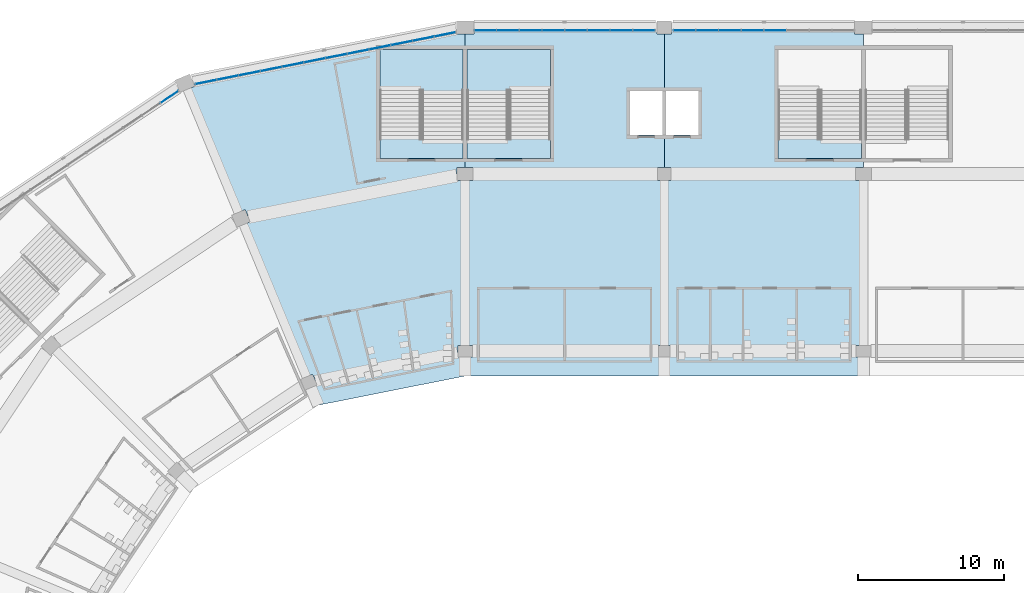
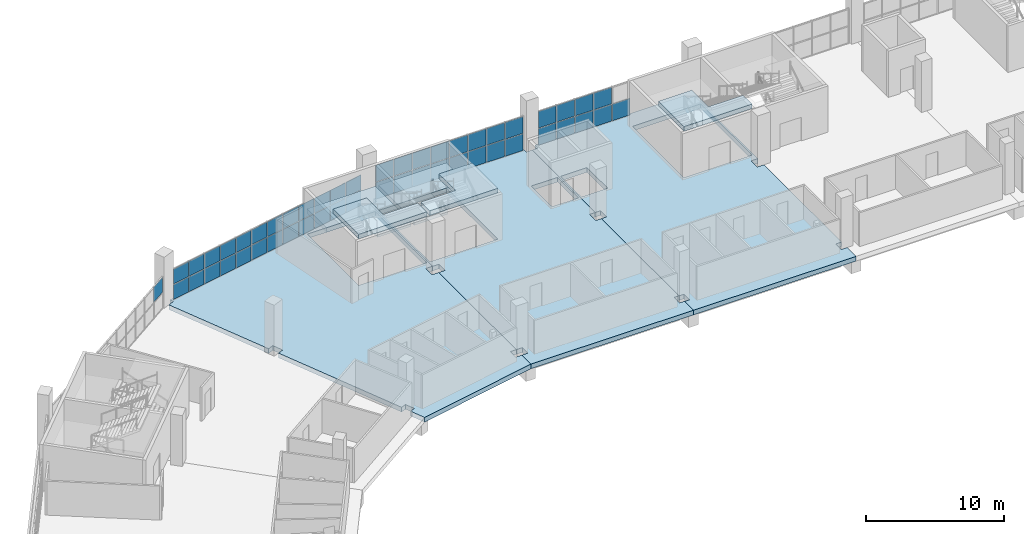
# One storey, part 69 of 199: 50 plates, 8 slabs, 7 elements without a shape of their own.
"""IFC4 building model written with IfcOpenShell, lengths in metres."""

from ifc_helpers import new_model, si_unit, direction, frame, origin, origin_2d, place, context, subcontext, project, spatial, polyline, rectangle, outline, extrude, material, layer, layer_set, type_object, element, aggregate, save


model = new_model("IFC4")

# Units and contexts
model_context = context("Model", 3, precision=1e-05, world=origin(), true_north=direction((0.0, 1.0)))
body_context = subcontext(model_context, "Body", "Model", "MODEL_VIEW")
ifc_project = project(units=[si_unit("LENGTHUNIT", "METRE"), si_unit("AREAUNIT", "SQUARE_METRE"), si_unit("VOLUMEUNIT", "CUBIC_METRE"), si_unit("PLANEANGLEUNIT", "RADIAN"), si_unit("MASSUNIT", "GRAM", prefix="KILO")], contexts=[model_context])

# Site, building, storey
site_placement = place(None, origin())
site = spatial("IfcSite", under=ifc_project, at=site_placement, CompositionType="ELEMENT")
building_placement = place(site_placement, origin())
building = spatial("IfcBuilding", under=site, at=building_placement, Name="Ogive Plaza Stadium", CompositionType="ELEMENT")
storey_placement = place(building_placement, frame((0.0, 0.0, 4.5)))
storey = spatial("IfcBuildingStorey", under=building, at=storey_placement, Name="L01", CompositionType="ELEMENT", Elevation=4.5)

# Curtain wall, plate
ifc_material_1 = material(Name="Bronze-anodised aluminium with laminated glass", Category="aluminium")
curtain_wall_type = type_object("IfcCurtainWallType", Name="Lancet curtain wall", PredefinedType="NOTDEFINED", material=ifc_material_1)
curtain_wall_1_placement = place(storey_placement, origin())
curtain_wall_1 = element("IfcCurtainWall", 1, at=curtain_wall_1_placement, inside=storey, type_object=curtain_wall_type, Name="CURTAIN WALL B30 L01", PredefinedType="NOTDEFINED")
ifc_material_2 = material(Name="Laminated glass", Category="glass")
ifc_layer_1 = layer(ifc_material_2, 0.028076171875)
ifc_layer_set_1 = layer_set([ifc_layer_1], Name="Laminated glass panel 28")
plate_type = type_object("IfcPlateType", Name="Laminated glass panel 28", PredefinedType="CURTAIN_PANEL", material=ifc_layer_set_1)
plate_1_placement = place(storey_placement, frame((-54.18212890625, 97.753173828125, 1.419921875), z_axis=(0.0, 0.0, 1.0), x_axis=(0.831469612303, 0.55557023302, 0.0)))
plate_1 = element("IfcPlate", 2, at=plate_1_placement, type_object=plate_type, Name="CW-B30-L01 panel 12.2", PredefinedType="CURTAIN_PANEL", context=body_context, shape_type="SweptSolid", body=[
    extrude(rectangle(XDim=1.447265625, YDim=0.028076171875, at=origin_2d()), origin(), (0.0, 0.0, 1.0), 1.320068359375),
])
aggregate(curtain_wall_1, [plate_1])

# Curtain wall, plates
curtain_wall_2_placement = place(storey_placement, origin())
curtain_wall_2 = element("IfcCurtainWall", 3, at=curtain_wall_2_placement, inside=storey, type_object=curtain_wall_type, Name="CURTAIN WALL B31 L01", PredefinedType="NOTDEFINED")
plate_2_placement = place(storey_placement, frame((-51.681884765625, 98.77880859375, 0.0498046875), z_axis=(0.0, 0.0, 1.0), x_axis=(0.980785280403, 0.195090322016, 0.0)))
plate_2 = element("IfcPlate", 4, at=plate_2_placement, type_object=plate_type, Name="CW-B31-L01 panel 1.1", PredefinedType="CURTAIN_PANEL", context=body_context, shape_type="SweptSolid", body=[
    extrude(rectangle(XDim=1.43896484375, YDim=0.028076171875, at=origin_2d()), origin(), (0.0, 0.0, 1.0), 1.320068359375),
])
plate_3_placement = place(storey_placement, frame((-51.681884765625, 98.77880859375, 1.419921875), z_axis=(0.0, 0.0, 1.0), x_axis=(0.980785280403, 0.195090322016, 0.0)))
plate_3 = element("IfcPlate", 5, at=plate_3_placement, type_object=plate_type, Name="CW-B31-L01 panel 1.2", PredefinedType="CURTAIN_PANEL", context=body_context, shape_type="SweptSolid", body=[
    extrude(rectangle(XDim=1.43896484375, YDim=0.028076171875, at=origin_2d()), origin(), (0.0, 0.0, 1.0), 1.320068359375),
])
plate_4_placement = place(storey_placement, frame((-50.20947265625, 99.07177734375, 0.0498046875), z_axis=(0.0, 0.0, 1.0), x_axis=(0.980785280403, 0.195090322016, 0.0)))
plate_4 = element("IfcPlate", 6, at=plate_4_placement, type_object=plate_type, Name="CW-B31-L01 panel 2.1", PredefinedType="CURTAIN_PANEL", context=body_context, shape_type="SweptSolid", body=[
    extrude(rectangle(XDim=1.4638671875, YDim=0.028076171875, at=origin_2d()), origin(), (0.0, 0.0, 1.0), 1.320068359375),
])
plate_5_placement = place(storey_placement, frame((-50.20947265625, 99.07177734375, 1.419921875), z_axis=(0.0, 0.0, 1.0), x_axis=(0.980785280403, 0.195090322016, 0.0)))
plate_5 = element("IfcPlate", 7, at=plate_5_placement, type_object=plate_type, Name="CW-B31-L01 panel 2.2", PredefinedType="CURTAIN_PANEL", context=body_context, shape_type="SweptSolid", body=[
    extrude(rectangle(XDim=1.4638671875, YDim=0.028076171875, at=origin_2d()), origin(), (0.0, 0.0, 1.0), 1.320068359375),
])
plate_6_placement = place(storey_placement, frame((-48.724609375, 99.3671875, 0.0498046875), z_axis=(0.0, 0.0, 1.0), x_axis=(0.980785280403, 0.195090322016, 0.0)))
plate_6 = element("IfcPlate", 8, at=plate_6_placement, type_object=plate_type, Name="CW-B31-L01 panel 3.1", PredefinedType="CURTAIN_PANEL", context=body_context, shape_type="SweptSolid", body=[
    extrude(rectangle(XDim=1.4638671875, YDim=0.028076171875, at=origin_2d()), origin(), (0.0, 0.0, 1.0), 1.320068359375),
])
plate_7_placement = place(storey_placement, frame((-48.724609375, 99.3671875, 1.419921875), z_axis=(0.0, 0.0, 1.0), x_axis=(0.980785280403, 0.195090322016, 0.0)))
plate_7 = element("IfcPlate", 9, at=plate_7_placement, type_object=plate_type, Name="CW-B31-L01 panel 3.2", PredefinedType="CURTAIN_PANEL", context=body_context, shape_type="SweptSolid", body=[
    extrude(rectangle(XDim=1.4638671875, YDim=0.028076171875, at=origin_2d()), origin(), (0.0, 0.0, 1.0), 1.320068359375),
])
plate_8_placement = place(storey_placement, frame((-47.239990234375, 99.66259765625, 0.0498046875), z_axis=(0.0, 0.0, 1.0), x_axis=(0.980785280403, 0.195090322016, 0.0)))
plate_8 = element("IfcPlate", 10, at=plate_8_placement, type_object=plate_type, Name="CW-B31-L01 panel 4.1", PredefinedType="CURTAIN_PANEL", context=body_context, shape_type="SweptSolid", body=[
    extrude(rectangle(XDim=1.4638671875, YDim=0.028076171875, at=origin_2d()), origin(), (0.0, 0.0, 1.0), 1.320068359375),
])
plate_9_placement = place(storey_placement, frame((-47.239990234375, 99.66259765625, 1.419921875), z_axis=(0.0, 0.0, 1.0), x_axis=(0.980785280403, 0.195090322016, 0.0)))
plate_9 = element("IfcPlate", 11, at=plate_9_placement, type_object=plate_type, Name="CW-B31-L01 panel 4.2", PredefinedType="CURTAIN_PANEL", context=body_context, shape_type="SweptSolid", body=[
    extrude(rectangle(XDim=1.4638671875, YDim=0.028076171875, at=origin_2d()), origin(), (0.0, 0.0, 1.0), 1.320068359375),
])
plate_10_placement = place(storey_placement, frame((-45.755126953125, 99.957763671875, 0.0498046875), z_axis=(0.0, 0.0, 1.0), x_axis=(0.980785280403, 0.195090322016, 0.0)))
plate_10 = element("IfcPlate", 12, at=plate_10_placement, type_object=plate_type, Name="CW-B31-L01 panel 5.1", PredefinedType="CURTAIN_PANEL", context=body_context, shape_type="SweptSolid", body=[
    extrude(rectangle(XDim=1.4638671875, YDim=0.028076171875, at=origin_2d()), origin(), (0.0, 0.0, 1.0), 1.320068359375),
])
plate_11_placement = place(storey_placement, frame((-45.755126953125, 99.957763671875, 1.419921875), z_axis=(0.0, 0.0, 1.0), x_axis=(0.980785280403, 0.195090322016, 0.0)))
plate_11 = element("IfcPlate", 13, at=plate_11_placement, type_object=plate_type, Name="CW-B31-L01 panel 5.2", PredefinedType="CURTAIN_PANEL", context=body_context, shape_type="SweptSolid", body=[
    extrude(rectangle(XDim=1.4638671875, YDim=0.028076171875, at=origin_2d()), origin(), (0.0, 0.0, 1.0), 1.320068359375),
])
plate_12_placement = place(storey_placement, frame((-44.2705078125, 100.253173828125, 0.0498046875), z_axis=(0.0, 0.0, 1.0), x_axis=(0.980785280403, 0.195090322016, 0.0)))
plate_12 = element("IfcPlate", 14, at=plate_12_placement, type_object=plate_type, Name="CW-B31-L01 panel 6.1", PredefinedType="CURTAIN_PANEL", context=body_context, shape_type="SweptSolid", body=[
    extrude(rectangle(XDim=1.4638671875, YDim=0.028076171875, at=origin_2d()), origin(), (0.0, 0.0, 1.0), 1.320068359375),
])
plate_13_placement = place(storey_placement, frame((-44.2705078125, 100.253173828125, 1.419921875), z_axis=(0.0, 0.0, 1.0), x_axis=(0.980785280403, 0.195090322016, 0.0)))
plate_13 = element("IfcPlate", 15, at=plate_13_placement, type_object=plate_type, Name="CW-B31-L01 panel 6.2", PredefinedType="CURTAIN_PANEL", context=body_context, shape_type="SweptSolid", body=[
    extrude(rectangle(XDim=1.4638671875, YDim=0.028076171875, at=origin_2d()), origin(), (0.0, 0.0, 1.0), 1.320068359375),
])
plate_14_placement = place(storey_placement, frame((-42.78564453125, 100.548583984375, 0.0498046875), z_axis=(0.0, 0.0, 1.0), x_axis=(0.980785280403, 0.195090322016, 0.0)))
plate_14 = element("IfcPlate", 16, at=plate_14_placement, type_object=plate_type, Name="CW-B31-L01 panel 7.1", PredefinedType="CURTAIN_PANEL", context=body_context, shape_type="SweptSolid", body=[
    extrude(rectangle(XDim=1.4638671875, YDim=0.028076171875, at=origin_2d()), origin(), (0.0, 0.0, 1.0), 1.320068359375),
])
plate_15_placement = place(storey_placement, frame((-42.78564453125, 100.548583984375, 1.419921875), z_axis=(0.0, 0.0, 1.0), x_axis=(0.980785280403, 0.195090322016, 0.0)))
plate_15 = element("IfcPlate", 17, at=plate_15_placement, type_object=plate_type, Name="CW-B31-L01 panel 7.2", PredefinedType="CURTAIN_PANEL", context=body_context, shape_type="SweptSolid", body=[
    extrude(rectangle(XDim=1.4638671875, YDim=0.028076171875, at=origin_2d()), origin(), (0.0, 0.0, 1.0), 1.320068359375),
])
plate_16_placement = place(storey_placement, frame((-41.301025390625, 100.84375, 0.0498046875), z_axis=(0.0, 0.0, 1.0), x_axis=(0.980785280403, 0.195090322016, 0.0)))
plate_16 = element("IfcPlate", 18, at=plate_16_placement, type_object=plate_type, Name="CW-B31-L01 panel 8.1", PredefinedType="CURTAIN_PANEL", context=body_context, shape_type="SweptSolid", body=[
    extrude(rectangle(XDim=1.4638671875, YDim=0.028076171875, at=origin_2d()), origin(), (0.0, 0.0, 1.0), 1.320068359375),
])
plate_17_placement = place(storey_placement, frame((-41.301025390625, 100.84375, 1.419921875), z_axis=(0.0, 0.0, 1.0), x_axis=(0.980785280403, 0.195090322016, 0.0)))
plate_17 = element("IfcPlate", 19, at=plate_17_placement, type_object=plate_type, Name="CW-B31-L01 panel 8.2", PredefinedType="CURTAIN_PANEL", context=body_context, shape_type="SweptSolid", body=[
    extrude(rectangle(XDim=1.4638671875, YDim=0.028076171875, at=origin_2d()), origin(), (0.0, 0.0, 1.0), 1.320068359375),
])
plate_18_placement = place(storey_placement, frame((-39.816162109375, 101.13916015625, 0.0498046875), z_axis=(0.0, 0.0, 1.0), x_axis=(0.980785280403, 0.195090322016, 0.0)))
plate_18 = element("IfcPlate", 20, at=plate_18_placement, type_object=plate_type, Name="CW-B31-L01 panel 9.1", PredefinedType="CURTAIN_PANEL", context=body_context, shape_type="SweptSolid", body=[
    extrude(rectangle(XDim=1.4638671875, YDim=0.028076171875, at=origin_2d()), origin(), (0.0, 0.0, 1.0), 1.320068359375),
])
plate_19_placement = place(storey_placement, frame((-39.816162109375, 101.13916015625, 1.419921875), z_axis=(0.0, 0.0, 1.0), x_axis=(0.980785280403, 0.195090322016, 0.0)))
plate_19 = element("IfcPlate", 21, at=plate_19_placement, type_object=plate_type, Name="CW-B31-L01 panel 9.2", PredefinedType="CURTAIN_PANEL", context=body_context, shape_type="SweptSolid", body=[
    extrude(rectangle(XDim=1.4638671875, YDim=0.028076171875, at=origin_2d()), origin(), (0.0, 0.0, 1.0), 1.320068359375),
])
plate_20_placement = place(storey_placement, frame((-38.331298828125, 101.4345703125, 0.0498046875), z_axis=(0.0, 0.0, 1.0), x_axis=(0.980785280403, 0.195090322016, 0.0)))
plate_20 = element("IfcPlate", 22, at=plate_20_placement, type_object=plate_type, Name="CW-B31-L01 panel 10.1", PredefinedType="CURTAIN_PANEL", context=body_context, shape_type="SweptSolid", body=[
    extrude(rectangle(XDim=1.4638671875, YDim=0.028076171875, at=origin_2d()), origin(), (0.0, 0.0, 1.0), 1.320068359375),
])
plate_21_placement = place(storey_placement, frame((-38.331298828125, 101.4345703125, 1.419921875), z_axis=(0.0, 0.0, 1.0), x_axis=(0.980785280403, 0.195090322016, 0.0)))
plate_21 = element("IfcPlate", 23, at=plate_21_placement, type_object=plate_type, Name="CW-B31-L01 panel 10.2", PredefinedType="CURTAIN_PANEL", context=body_context, shape_type="SweptSolid", body=[
    extrude(rectangle(XDim=1.4638671875, YDim=0.028076171875, at=origin_2d()), origin(), (0.0, 0.0, 1.0), 1.320068359375),
])
plate_22_placement = place(storey_placement, frame((-36.8466796875, 101.729736328125, 0.0498046875), z_axis=(0.0, 0.0, 1.0), x_axis=(0.980785280403, 0.195090322016, 0.0)))
plate_22 = element("IfcPlate", 24, at=plate_22_placement, type_object=plate_type, Name="CW-B31-L01 panel 11.1", PredefinedType="CURTAIN_PANEL", context=body_context, shape_type="SweptSolid", body=[
    extrude(rectangle(XDim=1.4638671875, YDim=0.028076171875, at=origin_2d()), origin(), (0.0, 0.0, 1.0), 1.320068359375),
])
plate_23_placement = place(storey_placement, frame((-36.8466796875, 101.729736328125, 1.419921875), z_axis=(0.0, 0.0, 1.0), x_axis=(0.980785280403, 0.195090322016, 0.0)))
plate_23 = element("IfcPlate", 25, at=plate_23_placement, type_object=plate_type, Name="CW-B31-L01 panel 11.2", PredefinedType="CURTAIN_PANEL", context=body_context, shape_type="SweptSolid", body=[
    extrude(rectangle(XDim=1.4638671875, YDim=0.028076171875, at=origin_2d()), origin(), (0.0, 0.0, 1.0), 1.320068359375),
])
plate_24_placement = place(storey_placement, frame((-35.374267578125, 102.022705078125, 0.0498046875), z_axis=(0.0, 0.0, 1.0), x_axis=(0.980785280403, 0.195090322016, 0.0)))
plate_24 = element("IfcPlate", 26, at=plate_24_placement, type_object=plate_type, Name="CW-B31-L01 panel 12.1", PredefinedType="CURTAIN_PANEL", context=body_context, shape_type="SweptSolid", body=[
    extrude(rectangle(XDim=1.43896484375, YDim=0.028076171875, at=origin_2d()), origin(), (0.0, 0.0, 1.0), 1.320068359375),
])
plate_25_placement = place(storey_placement, frame((-35.374267578125, 102.022705078125, 1.419921875), z_axis=(0.0, 0.0, 1.0), x_axis=(0.980785280403, 0.195090322016, 0.0)))
plate_25 = element("IfcPlate", 27, at=plate_25_placement, type_object=plate_type, Name="CW-B31-L01 panel 12.2", PredefinedType="CURTAIN_PANEL", context=body_context, shape_type="SweptSolid", body=[
    extrude(rectangle(XDim=1.43896484375, YDim=0.028076171875, at=origin_2d()), origin(), (0.0, 0.0, 1.0), 1.320068359375),
])
aggregate(curtain_wall_2, [plate_2, plate_3, plate_4, plate_5, plate_6, plate_7, plate_8, plate_9, plate_10, plate_11, plate_12, plate_13, plate_14, plate_15, plate_16, plate_17, plate_18, plate_19, plate_20, plate_21, plate_22, plate_23, plate_24, plate_25])

curtain_wall_3_placement = place(storey_placement, origin())
curtain_wall_3 = element("IfcCurtainWall", 28, at=curtain_wall_3_placement, inside=storey, type_object=curtain_wall_type, Name="CURTAIN WALL B32 L01", PredefinedType="NOTDEFINED")
plate_26_placement = place(storey_placement, frame((-32.612548828125, 102.300048828125, 0.0498046875), z_axis=(0.0, 0.0, 1.0), x_axis=(1.0, 0.0, 0.0)))
plate_26 = element("IfcPlate", 29, at=plate_26_placement, type_object=plate_type, Name="CW-B32-L01 panel 1.1", PredefinedType="CURTAIN_PANEL", context=body_context, shape_type="SweptSolid", body=[
    extrude(rectangle(XDim=1.47509765625, YDim=0.028076171875, at=origin_2d()), origin(), (0.0, 0.0, 1.0), 1.469970703125),
])
plate_27_placement = place(storey_placement, frame((-32.612548828125, 102.300048828125, 1.56982421875), z_axis=(0.0, 0.0, 1.0), x_axis=(1.0, 0.0, 0.0)))
plate_27 = element("IfcPlate", 30, at=plate_27_placement, type_object=plate_type, Name="CW-B32-L01 panel 1.2", PredefinedType="CURTAIN_PANEL", context=body_context, shape_type="SweptSolid", body=[
    extrude(rectangle(XDim=1.47509765625, YDim=0.028076171875, at=origin_2d()), origin(), (0.0, 0.0, 1.0), 1.469970703125),
])
plate_28_placement = place(storey_placement, frame((-31.074951171875, 102.300048828125, 0.0498046875), z_axis=(0.0, 0.0, 1.0), x_axis=(1.0, 0.0, 0.0)))
plate_28 = element("IfcPlate", 31, at=plate_28_placement, type_object=plate_type, Name="CW-B32-L01 panel 2.1", PredefinedType="CURTAIN_PANEL", context=body_context, shape_type="SweptSolid", body=[
    extrude(rectangle(XDim=1.5, YDim=0.028076171875, at=origin_2d()), origin(), (0.0, 0.0, 1.0), 1.469970703125),
])
plate_29_placement = place(storey_placement, frame((-31.074951171875, 102.300048828125, 1.56982421875), z_axis=(0.0, 0.0, 1.0), x_axis=(1.0, 0.0, 0.0)))
plate_29 = element("IfcPlate", 32, at=plate_29_placement, type_object=plate_type, Name="CW-B32-L01 panel 2.2", PredefinedType="CURTAIN_PANEL", context=body_context, shape_type="SweptSolid", body=[
    extrude(rectangle(XDim=1.5, YDim=0.028076171875, at=origin_2d()), origin(), (0.0, 0.0, 1.0), 1.469970703125),
])
plate_30_placement = place(storey_placement, frame((-29.52490234375, 102.300048828125, 0.0498046875), z_axis=(0.0, 0.0, 1.0), x_axis=(1.0, 0.0, 0.0)))
plate_30 = element("IfcPlate", 33, at=plate_30_placement, type_object=plate_type, Name="CW-B32-L01 panel 3.1", PredefinedType="CURTAIN_PANEL", context=body_context, shape_type="SweptSolid", body=[
    extrude(rectangle(XDim=1.5, YDim=0.028076171875, at=origin_2d()), origin(), (0.0, 0.0, 1.0), 1.469970703125),
])
plate_31_placement = place(storey_placement, frame((-29.52490234375, 102.300048828125, 1.56982421875), z_axis=(0.0, 0.0, 1.0), x_axis=(1.0, 0.0, 0.0)))
plate_31 = element("IfcPlate", 34, at=plate_31_placement, type_object=plate_type, Name="CW-B32-L01 panel 3.2", PredefinedType="CURTAIN_PANEL", context=body_context, shape_type="SweptSolid", body=[
    extrude(rectangle(XDim=1.5, YDim=0.028076171875, at=origin_2d()), origin(), (0.0, 0.0, 1.0), 1.469970703125),
])
plate_32_placement = place(storey_placement, frame((-27.97509765625, 102.300048828125, 0.0498046875), z_axis=(0.0, 0.0, 1.0), x_axis=(1.0, 0.0, 0.0)))
plate_32 = element("IfcPlate", 35, at=plate_32_placement, type_object=plate_type, Name="CW-B32-L01 panel 4.1", PredefinedType="CURTAIN_PANEL", context=body_context, shape_type="SweptSolid", body=[
    extrude(rectangle(XDim=1.5, YDim=0.028076171875, at=origin_2d()), origin(), (0.0, 0.0, 1.0), 1.469970703125),
])
plate_33_placement = place(storey_placement, frame((-27.97509765625, 102.300048828125, 1.56982421875), z_axis=(0.0, 0.0, 1.0), x_axis=(1.0, 0.0, 0.0)))
plate_33 = element("IfcPlate", 36, at=plate_33_placement, type_object=plate_type, Name="CW-B32-L01 panel 4.2", PredefinedType="CURTAIN_PANEL", context=body_context, shape_type="SweptSolid", body=[
    extrude(rectangle(XDim=1.5, YDim=0.028076171875, at=origin_2d()), origin(), (0.0, 0.0, 1.0), 1.469970703125),
])
plate_34_placement = place(storey_placement, frame((-26.425048828125, 102.300048828125, 0.0498046875), z_axis=(0.0, 0.0, 1.0), x_axis=(1.0, 0.0, 0.0)))
plate_34 = element("IfcPlate", 37, at=plate_34_placement, type_object=plate_type, Name="CW-B32-L01 panel 5.1", PredefinedType="CURTAIN_PANEL", context=body_context, shape_type="SweptSolid", body=[
    extrude(rectangle(XDim=1.5, YDim=0.028076171875, at=origin_2d()), origin(), (0.0, 0.0, 1.0), 1.469970703125),
])
plate_35_placement = place(storey_placement, frame((-26.425048828125, 102.300048828125, 1.56982421875), z_axis=(0.0, 0.0, 1.0), x_axis=(1.0, 0.0, 0.0)))
plate_35 = element("IfcPlate", 38, at=plate_35_placement, type_object=plate_type, Name="CW-B32-L01 panel 5.2", PredefinedType="CURTAIN_PANEL", context=body_context, shape_type="SweptSolid", body=[
    extrude(rectangle(XDim=1.5, YDim=0.028076171875, at=origin_2d()), origin(), (0.0, 0.0, 1.0), 1.469970703125),
])
plate_36_placement = place(storey_placement, frame((-24.875, 102.300048828125, 0.0498046875), z_axis=(0.0, 0.0, 1.0), x_axis=(1.0, 0.0, 0.0)))
plate_36 = element("IfcPlate", 39, at=plate_36_placement, type_object=plate_type, Name="CW-B32-L01 panel 6.1", PredefinedType="CURTAIN_PANEL", context=body_context, shape_type="SweptSolid", body=[
    extrude(rectangle(XDim=1.5, YDim=0.028076171875, at=origin_2d()), origin(), (0.0, 0.0, 1.0), 1.469970703125),
])
plate_37_placement = place(storey_placement, frame((-24.875, 102.300048828125, 1.56982421875), z_axis=(0.0, 0.0, 1.0), x_axis=(1.0, 0.0, 0.0)))
plate_37 = element("IfcPlate", 40, at=plate_37_placement, type_object=plate_type, Name="CW-B32-L01 panel 6.2", PredefinedType="CURTAIN_PANEL", context=body_context, shape_type="SweptSolid", body=[
    extrude(rectangle(XDim=1.5, YDim=0.028076171875, at=origin_2d()), origin(), (0.0, 0.0, 1.0), 1.469970703125),
])
plate_38_placement = place(storey_placement, frame((-23.324951171875, 102.300048828125, 0.0498046875), z_axis=(0.0, 0.0, 1.0), x_axis=(1.0, 0.0, 0.0)))
plate_38 = element("IfcPlate", 41, at=plate_38_placement, type_object=plate_type, Name="CW-B32-L01 panel 7.1", PredefinedType="CURTAIN_PANEL", context=body_context, shape_type="SweptSolid", body=[
    extrude(rectangle(XDim=1.5, YDim=0.028076171875, at=origin_2d()), origin(), (0.0, 0.0, 1.0), 1.469970703125),
])
plate_39_placement = place(storey_placement, frame((-23.324951171875, 102.300048828125, 1.56982421875), z_axis=(0.0, 0.0, 1.0), x_axis=(1.0, 0.0, 0.0)))
plate_39 = element("IfcPlate", 42, at=plate_39_placement, type_object=plate_type, Name="CW-B32-L01 panel 7.2", PredefinedType="CURTAIN_PANEL", context=body_context, shape_type="SweptSolid", body=[
    extrude(rectangle(XDim=1.5, YDim=0.028076171875, at=origin_2d()), origin(), (0.0, 0.0, 1.0), 1.469970703125),
])
plate_40_placement = place(storey_placement, frame((-21.78759765625, 102.300048828125, 0.0498046875), z_axis=(0.0, 0.0, 1.0), x_axis=(1.0, 0.0, 0.0)))
plate_40 = element("IfcPlate", 43, at=plate_40_placement, type_object=plate_type, Name="CW-B32-L01 panel 8.1", PredefinedType="CURTAIN_PANEL", context=body_context, shape_type="SweptSolid", body=[
    extrude(rectangle(XDim=1.47509765625, YDim=0.028076171875, at=origin_2d()), origin(), (0.0, 0.0, 1.0), 1.469970703125),
])
plate_41_placement = place(storey_placement, frame((-21.78759765625, 102.300048828125, 1.56982421875), z_axis=(0.0, 0.0, 1.0), x_axis=(1.0, 0.0, 0.0)))
plate_41 = element("IfcPlate", 44, at=plate_41_placement, type_object=plate_type, Name="CW-B32-L01 panel 8.2", PredefinedType="CURTAIN_PANEL", context=body_context, shape_type="SweptSolid", body=[
    extrude(rectangle(XDim=1.47509765625, YDim=0.028076171875, at=origin_2d()), origin(), (0.0, 0.0, 1.0), 1.469970703125),
])
aggregate(curtain_wall_3, [plate_26, plate_27, plate_28, plate_29, plate_30, plate_31, plate_32, plate_33, plate_34, plate_35, plate_36, plate_37, plate_38, plate_39, plate_40, plate_41])

curtain_wall_4_placement = place(storey_placement, origin())
curtain_wall_4 = element("IfcCurtainWall", 45, at=curtain_wall_4_placement, inside=storey, type_object=curtain_wall_type, Name="CURTAIN WALL B33 L01", PredefinedType="NOTDEFINED")
plate_42_placement = place(storey_placement, frame((-19.012451171875, 102.300048828125, 0.0498046875), z_axis=(0.0, 0.0, 1.0), x_axis=(1.0, 0.0, 0.0)))
plate_42 = element("IfcPlate", 46, at=plate_42_placement, type_object=plate_type, Name="CW-B33-L01 panel 1.1", PredefinedType="CURTAIN_PANEL", context=body_context, shape_type="SweptSolid", body=[
    extrude(rectangle(XDim=1.47509765625, YDim=0.028076171875, at=origin_2d()), origin(), (0.0, 0.0, 1.0), 1.469970703125),
])
plate_43_placement = place(storey_placement, frame((-19.012451171875, 102.300048828125, 1.56982421875), z_axis=(0.0, 0.0, 1.0), x_axis=(1.0, 0.0, 0.0)))
plate_43 = element("IfcPlate", 47, at=plate_43_placement, type_object=plate_type, Name="CW-B33-L01 panel 1.2", PredefinedType="CURTAIN_PANEL", context=body_context, shape_type="SweptSolid", body=[
    extrude(rectangle(XDim=1.47509765625, YDim=0.028076171875, at=origin_2d()), origin(), (0.0, 0.0, 1.0), 1.469970703125),
])
plate_44_placement = place(storey_placement, frame((-17.47509765625, 102.300048828125, 0.0498046875), z_axis=(0.0, 0.0, 1.0), x_axis=(1.0, 0.0, 0.0)))
plate_44 = element("IfcPlate", 48, at=plate_44_placement, type_object=plate_type, Name="CW-B33-L01 panel 2.1", PredefinedType="CURTAIN_PANEL", context=body_context, shape_type="SweptSolid", body=[
    extrude(rectangle(XDim=1.5, YDim=0.028076171875, at=origin_2d()), origin(), (0.0, 0.0, 1.0), 1.469970703125),
])
plate_45_placement = place(storey_placement, frame((-17.47509765625, 102.300048828125, 1.56982421875), z_axis=(0.0, 0.0, 1.0), x_axis=(1.0, 0.0, 0.0)))
plate_45 = element("IfcPlate", 49, at=plate_45_placement, type_object=plate_type, Name="CW-B33-L01 panel 2.2", PredefinedType="CURTAIN_PANEL", context=body_context, shape_type="SweptSolid", body=[
    extrude(rectangle(XDim=1.5, YDim=0.028076171875, at=origin_2d()), origin(), (0.0, 0.0, 1.0), 1.469970703125),
])
plate_46_placement = place(storey_placement, frame((-15.925048828125, 102.300048828125, 0.0498046875), z_axis=(0.0, 0.0, 1.0), x_axis=(1.0, 0.0, 0.0)))
plate_46 = element("IfcPlate", 50, at=plate_46_placement, type_object=plate_type, Name="CW-B33-L01 panel 3.1", PredefinedType="CURTAIN_PANEL", context=body_context, shape_type="SweptSolid", body=[
    extrude(rectangle(XDim=1.5, YDim=0.028076171875, at=origin_2d()), origin(), (0.0, 0.0, 1.0), 1.469970703125),
])
plate_47_placement = place(storey_placement, frame((-15.925048828125, 102.300048828125, 1.56982421875), z_axis=(0.0, 0.0, 1.0), x_axis=(1.0, 0.0, 0.0)))
plate_47 = element("IfcPlate", 51, at=plate_47_placement, type_object=plate_type, Name="CW-B33-L01 panel 3.2", PredefinedType="CURTAIN_PANEL", context=body_context, shape_type="SweptSolid", body=[
    extrude(rectangle(XDim=1.5, YDim=0.028076171875, at=origin_2d()), origin(), (0.0, 0.0, 1.0), 1.469970703125),
])
plate_48_placement = place(storey_placement, frame((-14.375, 102.300048828125, 0.0498046875), z_axis=(0.0, 0.0, 1.0), x_axis=(1.0, 0.0, 0.0)))
plate_48 = element("IfcPlate", 52, at=plate_48_placement, type_object=plate_type, Name="CW-B33-L01 panel 4.1", PredefinedType="CURTAIN_PANEL", context=body_context, shape_type="SweptSolid", body=[
    extrude(rectangle(XDim=1.5, YDim=0.028076171875, at=origin_2d()), origin(), (0.0, 0.0, 1.0), 1.469970703125),
])
plate_49_placement = place(storey_placement, frame((-14.375, 102.300048828125, 1.56982421875), z_axis=(0.0, 0.0, 1.0), x_axis=(1.0, 0.0, 0.0)))
plate_49 = element("IfcPlate", 53, at=plate_49_placement, type_object=plate_type, Name="CW-B33-L01 panel 4.2", PredefinedType="CURTAIN_PANEL", context=body_context, shape_type="SweptSolid", body=[
    extrude(rectangle(XDim=1.5, YDim=0.028076171875, at=origin_2d()), origin(), (0.0, 0.0, 1.0), 1.469970703125),
])
plate_50_placement = place(storey_placement, frame((-12.824951171875, 102.300048828125, 0.0498046875), z_axis=(0.0, 0.0, 1.0), x_axis=(1.0, 0.0, 0.0)))
plate_50 = element("IfcPlate", 54, at=plate_50_placement, type_object=plate_type, Name="CW-B33-L01 panel 5.1", PredefinedType="CURTAIN_PANEL", context=body_context, shape_type="SweptSolid", body=[
    extrude(rectangle(XDim=1.5, YDim=0.028076171875, at=origin_2d()), origin(), (0.0, 0.0, 1.0), 1.469970703125),
])
aggregate(curtain_wall_4, [plate_42, plate_43, plate_44, plate_45, plate_46, plate_47, plate_48, plate_49, plate_50])

# Slabs
ifc_material_3 = material(Name="Concrete C40/50", Category="concrete")
ifc_layer_2 = layer(ifc_material_3, 0.409912109375)
ifc_layer_set_2 = layer_set([ifc_layer_2], Name="Concrete C40/50")
slab_type_1 = type_object("IfcSlabType", Name="RC floor slab 410", PredefinedType="FLOOR", material=ifc_layer_set_2)
slab_1_placement = place(storey_placement, frame((0.0, 0.0, -0.409912109375)))
element("IfcSlab", 55, at=slab_1_placement, inside=storey, type_object=slab_type_1, Name="Floor slab L01 B31", PredefinedType="FLOOR", context=body_context, shape_type="SweptSolid", body=[
    extrude(outline(polyline([(-34.0, 80.0), (-34.5, 80.0), (-34.5, 80.800048828125), (-34.0, 80.800048828125), (-34.0, 92.050048828125), (-34.550048828125, 92.050048828125), (-34.550048828125, 92.949951171875), (-34.0, 92.949951171875), (-34.0, 102.050048828125), (-34.60009765625, 102.050048828125), (-34.60009765625, 102.380615234375), (-52.584228515625, 98.803466796875), (-52.453857421875, 98.48876953125), (-52.9619140625, 98.2783203125), (-49.4794921875, 89.870849609375), (-49.017578125, 90.062255859375), (-48.673095703125, 89.230712890625), (-49.135009765625, 89.03955078125), (-44.829833984375, 78.645751953125), (-44.414306640625, 78.818115234375), (-44.108154296875, 78.078857421875), (-44.523681640625, 77.90673828125), (-44.0263671875, 76.70556640625), (-34.0, 78.699951171875), (-34.0, 80.0)]), holes=[polyline([(-39.824951171875, 93.550048828125), (-34.125, 93.550048828125), (-34.125, 101.010009765625), (-39.824951171875, 101.010009765625), (-39.824951171875, 93.550048828125)])]), origin(), (0.0, 0.0, 1.0), 0.409912109375),
])
slab_2_placement = place(storey_placement, frame((0.0, 0.0, -0.409912109375)))
element("IfcSlab", 56, at=slab_2_placement, inside=storey, type_object=slab_type_1, Name="Floor slab L01 B32", PredefinedType="FLOOR", context=body_context, shape_type="SweptSolid", body=[
    extrude(outline(polyline([(-20.39990234375, 80.0), (-20.800048828125, 80.0), (-20.800048828125, 80.800048828125), (-20.39990234375, 80.800048828125), (-20.39990234375, 92.050048828125), (-20.85009765625, 92.050048828125), (-20.85009765625, 92.949951171875), (-20.39990234375, 92.949951171875), (-20.39990234375, 102.050048828125), (-20.89990234375, 102.050048828125), (-20.89990234375, 102.5), (-33.39990234375, 102.5), (-33.39990234375, 102.050048828125), (-34.0, 102.050048828125), (-34.0, 92.949951171875), (-33.449951171875, 92.949951171875), (-33.449951171875, 92.050048828125), (-34.0, 92.050048828125), (-34.0, 80.800048828125), (-33.5, 80.800048828125), (-33.5, 80.0), (-34.0, 80.0), (-34.0, 78.699951171875), (-20.39990234375, 78.699951171875), (-20.39990234375, 80.0)]), holes=[polyline([(-20.52490234375, 95.14990234375), (-20.52490234375, 98.14990234375), (-22.72509765625, 98.14990234375), (-22.72509765625, 95.14990234375), (-20.52490234375, 95.14990234375)]), polyline([(-33.875, 93.550048828125), (-28.175048828125, 93.550048828125), (-28.175048828125, 101.010009765625), (-33.875, 101.010009765625), (-33.875, 93.550048828125)])]), origin(), (0.0, 0.0, 1.0), 0.409912109375),
])
slab_3_placement = place(storey_placement, frame((0.0, 0.0, -0.409912109375)))
element("IfcSlab", 57, at=slab_3_placement, inside=storey, type_object=slab_type_1, Name="Floor slab L01 B33", PredefinedType="FLOOR", context=body_context, shape_type="SweptSolid", body=[
    extrude(outline(polyline([(-6.800048828125, 80.0), (-7.300048828125, 80.0), (-7.300048828125, 80.800048828125), (-6.800048828125, 80.800048828125), (-6.800048828125, 92.050048828125), (-7.35009765625, 92.050048828125), (-7.35009765625, 92.949951171875), (-6.800048828125, 92.949951171875), (-6.800048828125, 102.050048828125), (-7.39990234375, 102.050048828125), (-7.39990234375, 102.5), (-19.89990234375, 102.5), (-19.89990234375, 102.050048828125), (-20.39990234375, 102.050048828125), (-20.39990234375, 92.949951171875), (-19.949951171875, 92.949951171875), (-19.949951171875, 92.050048828125), (-20.39990234375, 92.050048828125), (-20.39990234375, 80.800048828125), (-20.0, 80.800048828125), (-20.0, 80.0), (-20.39990234375, 80.0), (-20.39990234375, 78.699951171875), (-6.800048828125, 78.699951171875), (-6.800048828125, 80.0)]), holes=[polyline([(-20.27490234375, 95.14990234375), (-18.074951171875, 95.14990234375), (-18.074951171875, 98.14990234375), (-20.27490234375, 98.14990234375), (-20.27490234375, 95.14990234375)]), polyline([(-12.625, 93.550048828125), (-6.925048828125, 93.550048828125), (-6.925048828125, 101.010009765625), (-12.625, 101.010009765625), (-12.625, 93.550048828125)])]), origin(), (0.0, 0.0, 1.0), 0.409912109375),
])

# Stair, slabs
ifc_material_4 = material(Name="Concrete C40/50", Category="concrete")
stair_type = type_object("IfcStairType", Name="Exit stair", PredefinedType="STRAIGHT_RUN_STAIR", material=ifc_material_4)
stair_1_placement = place(storey_placement, origin())
stair_1 = element("IfcStair", 58, at=stair_1_placement, inside=storey, type_object=stair_type, Name="Exit stair ST32A L01 to L02", PredefinedType="STRAIGHT_RUN_STAIR")
ifc_material_5 = material(Name="Concrete C40/50", Category="concrete")
ifc_layer_3 = layer(ifc_material_5, 0.39990234375)
ifc_layer_set_3 = layer_set([ifc_layer_3], Name="Concrete C40/50")
slab_type_2 = type_object("IfcSlabType", Name="Stair landing", PredefinedType="LANDING", material=ifc_layer_set_3)
slab_4_placement = place(storey_placement, frame((0.0, 0.0, 1.85009765625)))
slab_4 = element("IfcSlab", 59, at=slab_4_placement, type_object=slab_type_2, Name="ST32A landing 1", PredefinedType="LANDING", context=body_context, shape_type="SweptSolid", body=[
    extrude(outline(polyline([(-33.875, 101.010009765625), (-28.175048828125, 101.010009765625), (-28.175048828125, 98.2099609375), (-31.074951171875, 98.2099609375), (-31.074951171875, 95.81005859375), (-33.875, 95.81005859375), (-33.875, 98.2099609375), (-33.875, 101.010009765625)])), origin(), (0.0, 0.0, 1.0), 0.39990234375),
])
slab_5_placement = place(storey_placement, frame((0.0, 0.0, 4.10009765625)))
slab_5 = element("IfcSlab", 60, at=slab_5_placement, type_object=slab_type_2, Name="ST32A landing 2", PredefinedType="LANDING", context=body_context, shape_type="SweptSolid", body=[
    extrude(outline(polyline([(-30.97509765625, 97.25), (-28.175048828125, 97.25), (-28.175048828125, 94.85009765625), (-28.175048828125, 93.550048828125), (-33.875, 93.550048828125), (-33.875, 94.85009765625), (-30.97509765625, 94.85009765625), (-30.97509765625, 97.25)])), origin(), (0.0, 0.0, 1.0), 0.39990234375),
])
aggregate(stair_1, [slab_4, slab_5])

stair_2_placement = place(storey_placement, origin())
stair_2 = element("IfcStair", 61, at=stair_2_placement, inside=storey, type_object=stair_type, Name="Exit stair ST32B L01 to L02", PredefinedType="STRAIGHT_RUN_STAIR")
slab_6_placement = place(storey_placement, frame((0.0, 0.0, 1.85009765625)))
slab_6 = element("IfcSlab", 62, at=slab_6_placement, type_object=slab_type_2, Name="ST32B landing 1", PredefinedType="LANDING", context=body_context, shape_type="SweptSolid", body=[
    extrude(outline(polyline([(-34.125, 95.81005859375), (-36.925048828125, 95.81005859375), (-36.925048828125, 98.2099609375), (-39.824951171875, 98.2099609375), (-39.824951171875, 101.010009765625), (-34.125, 101.010009765625), (-34.125, 98.2099609375), (-34.125, 95.81005859375)])), origin(), (0.0, 0.0, 1.0), 0.39990234375),
])
slab_7_placement = place(storey_placement, frame((0.0, 0.0, 4.10009765625)))
slab_7 = element("IfcSlab", 63, at=slab_7_placement, type_object=slab_type_2, Name="ST32B landing 2", PredefinedType="LANDING", context=body_context, shape_type="SweptSolid", body=[
    extrude(outline(polyline([(-34.125, 94.85009765625), (-34.125, 93.550048828125), (-39.824951171875, 93.550048828125), (-39.824951171875, 94.85009765625), (-39.824951171875, 97.25), (-37.02490234375, 97.25), (-37.02490234375, 94.85009765625), (-34.125, 94.85009765625)])), origin(), (0.0, 0.0, 1.0), 0.39990234375),
])
aggregate(stair_2, [slab_6, slab_7])

# Stair, slab
stair_3_placement = place(storey_placement, origin())
stair_3 = element("IfcStair", 64, at=stair_3_placement, inside=storey, type_object=stair_type, Name="Exit stair ST34B L01 to L02", PredefinedType="STRAIGHT_RUN_STAIR")
slab_8_placement = place(storey_placement, frame((0.0, 0.0, 4.10009765625)))
slab_8 = element("IfcSlab", 65, at=slab_8_placement, type_object=slab_type_2, Name="ST34B landing 2", PredefinedType="LANDING", context=body_context, shape_type="SweptSolid", body=[
    extrude(outline(polyline([(-6.925048828125, 94.85009765625), (-6.925048828125, 93.550048828125), (-12.625, 93.550048828125), (-12.625, 94.85009765625), (-12.625, 97.25), (-9.824951171875, 97.25), (-9.824951171875, 94.85009765625), (-6.925048828125, 94.85009765625)])), origin(), (0.0, 0.0, 1.0), 0.39990234375),
])
aggregate(stair_3, [slab_8])

save(model, "model.ifc")
